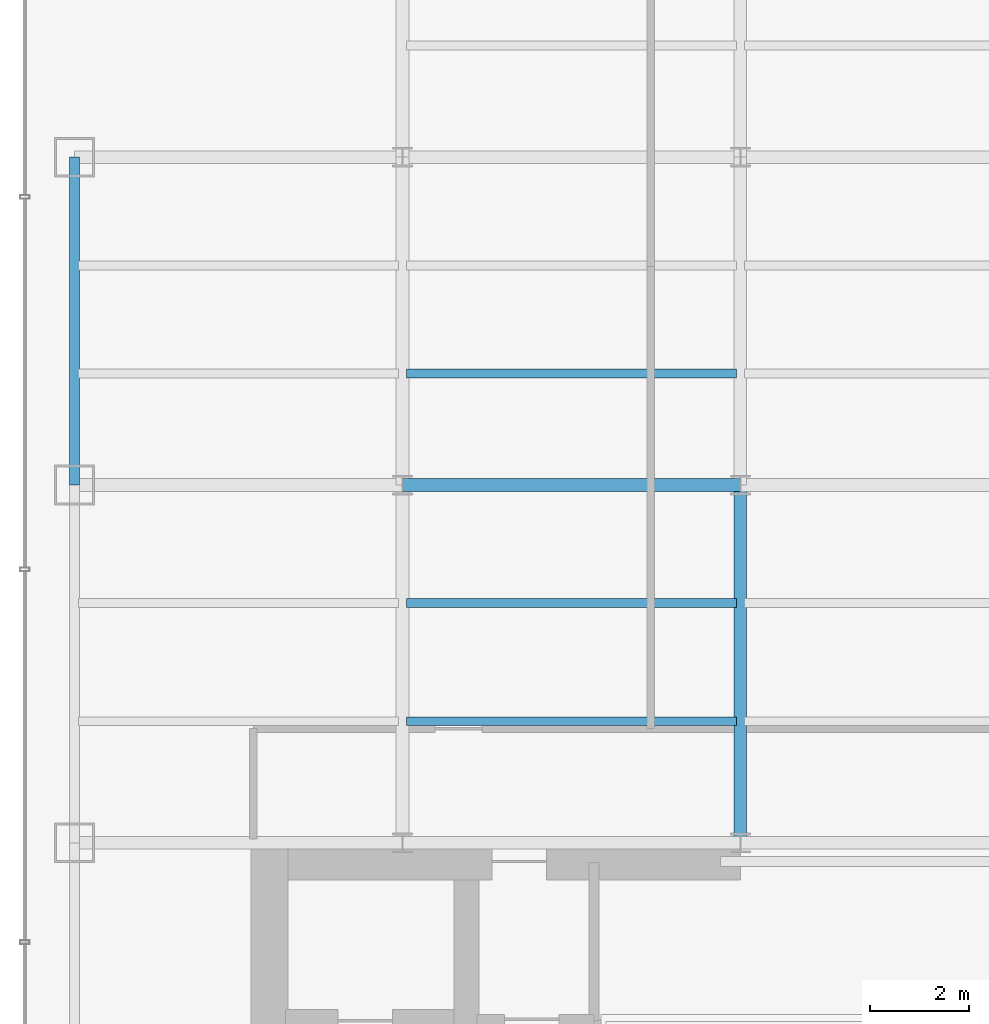
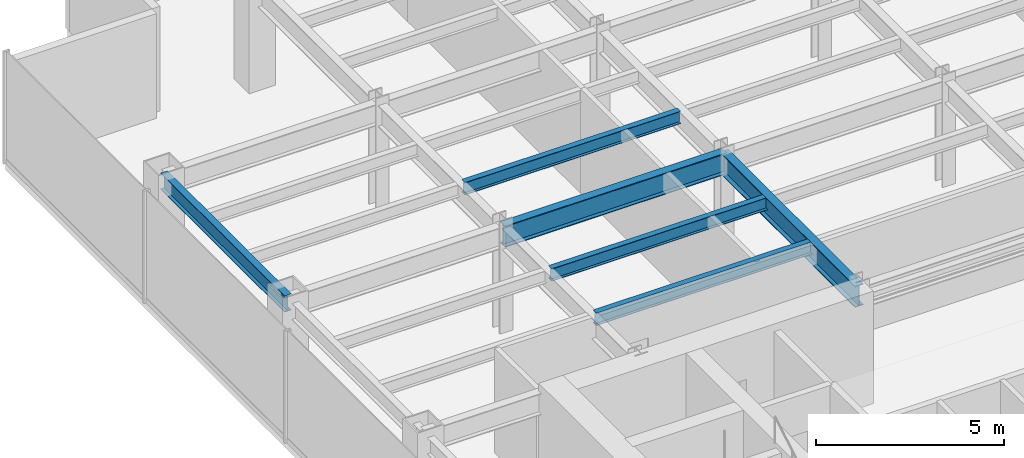
# One storey, part 5 of 26: 6 beams.
"""IFC4 building model written with IfcOpenShell, lengths in metres."""

from ifc_helpers import new_model, si_unit, derived_unit, direction, frame, origin, origin_2d, place, context, subcontext, project, spatial, i_section, extrude, source, transform, mapped, material, material_profile, profile_set, type_object, element, save


model = new_model("IFC4")

# Units and contexts
model_context = context("Model", 3, precision=1e-05, world=origin(), true_north=direction((0.0, 1.0)))
body_context = subcontext(model_context, "Body", "Model", "MODEL_VIEW")
ifc_project = project(units=[si_unit("LENGTHUNIT", "METRE"), si_unit("AREAUNIT", "SQUARE_METRE"), si_unit("VOLUMEUNIT", "CUBIC_METRE"), si_unit("PLANEANGLEUNIT", "RADIAN"), si_unit("MASSUNIT", "GRAM", prefix="KILO"), derived_unit("THERMALTRANSMITTANCEUNIT", [(si_unit("POWERUNIT", "WATT"), 1), (si_unit("LENGTHUNIT", "METRE"), -2), (si_unit("THERMODYNAMICTEMPERATUREUNIT", "KELVIN"), -1)])], contexts=[model_context])

# Site, building, storey
site_placement = place(None, origin())
site = spatial("IfcSite", under=ifc_project, at=site_placement, CompositionType="ELEMENT")
building_placement = place(site_placement, origin())
building = spatial("IfcBuilding", under=site, at=building_placement, Name="Skarnbrae Concourse Arena and Tower", CompositionType="ELEMENT")
storey_placement = place(building_placement, frame((0.0, 0.0, 99.60009765625)))
storey = spatial("IfcBuildingStorey", under=building, at=storey_placement, Name="L24", CompositionType="ELEMENT", Elevation=99.60009765625)

# Beams
ifc_material = material(Name="Steel CSA G40.21 350W", Category="steel")
ifc_material_profile_1 = material_profile(ifc_material, i_section(OverallWidth=0.256103515625, OverallDepth=0.693115234375, WebThickness=0.014404296875, FlangeThickness=0.023681640625, at=origin_2d()), Name="W690X170")
ifc_profile_set_1 = profile_set([ifc_material_profile_1], Name="Steel CSA G40.21 350W")
beam_type_1 = type_object("IfcBeamType", Name="BM-GIRD-W690X170", PredefinedType="BEAM", material=ifc_profile_set_1)
shared_shape_1 = source(origin(), body_context, "Body", "SweptSolid", [
    extrude(i_section(OverallWidth=0.256103515625, OverallDepth=0.693115234375, WebThickness=0.014404296875, FlangeThickness=0.023681640625, at=origin_2d()), origin(), (0.0, 0.0, 1.0), 6.7998046875),
])
beam_1_placement = place(storey_placement, frame((7.60009765625, 21.199951171875, 3.053466796875), z_axis=(1.0, 0.0, 0.0), x_axis=(0.0, 1.0, 0.0)))
element("IfcBeam", 1, at=beam_1_placement, inside=storey, type_object=beam_type_1, Name="L24 Primary E-W girder Y21.2-2", PredefinedType="BEAM", context=body_context, shape_type="MappedRepresentation", body=[
    mapped(shared_shape_1, transform((0.0, 0.0, 0.0))),
])
ifc_material_profile_2 = material_profile(ifc_material, i_section(OverallWidth=0.208984375, OverallDepth=0.532958984375, WebThickness=0.01025390625, FlangeThickness=0.015625, at=origin_2d()), Name="W530X92")
ifc_profile_set_2 = profile_set([ifc_material_profile_2], Name="Steel CSA G40.21 350W")
beam_type_2 = type_object("IfcBeamType", Name="BM-SPAN-W530X92", PredefinedType="SPANDREL", material=ifc_profile_set_2)
shared_shape_2 = source(origin(), body_context, "Body", "SweptSolid", [
    extrude(i_section(OverallWidth=0.208984375, OverallDepth=0.532958984375, WebThickness=0.01025390625, FlangeThickness=0.015625, at=origin_2d()), origin(), (0.0, 0.0, 1.0), 6.60009765625),
])
beam_2_placement = place(storey_placement, frame((1.0, 21.199951171875, 3.13330078125), z_axis=(0.0, 1.0, 0.0), x_axis=(-1.0, 0.0, 0.0)))
element("IfcBeam", 2, at=beam_2_placement, inside=storey, type_object=beam_type_2, Name="L24 Perimeter spandrel X1.0-3", PredefinedType="SPANDREL", context=body_context, shape_type="MappedRepresentation", body=[
    mapped(shared_shape_2, transform((0.0, 0.0, 0.0))),
])
shared_shape_3 = source(origin(), body_context, "Body", "SweptSolid", [
    extrude(i_section(OverallWidth=0.256103515625, OverallDepth=0.693115234375, WebThickness=0.014404296875, FlangeThickness=0.023681640625, at=origin_2d()), origin(), (0.0, 0.0, 1.0), 7.199951171875),
])
beam_3_placement = place(storey_placement, frame((14.39990234375, 14.0, 3.053466796875), z_axis=(0.0, 1.0, 0.0), x_axis=(-1.0, 0.0, 0.0)))
element("IfcBeam", 3, at=beam_3_placement, inside=storey, type_object=beam_type_1, Name="L24 Primary N-S girder X14.4-1", PredefinedType="BEAM", context=body_context, shape_type="MappedRepresentation", body=[
    mapped(shared_shape_3, transform((0.0, 0.0, 0.0))),
])
ifc_material_profile_3 = material_profile(ifc_material, i_section(OverallWidth=0.177978515625, OverallDepth=0.406982421875, WebThickness=0.0078125, FlangeThickness=0.0126953125, at=origin_2d()), Name="W410X60")
ifc_profile_set_3 = profile_set([ifc_material_profile_3], Name="Steel CSA G40.21 350W")
beam_type_3 = type_object("IfcBeamType", Name="BM-JOIST-W410X60", PredefinedType="JOIST", material=ifc_profile_set_3)
shared_shape_4 = source(origin(), body_context, "Body", "SweptSolid", [
    extrude(i_section(OverallWidth=0.177978515625, OverallDepth=0.406982421875, WebThickness=0.0078125, FlangeThickness=0.0126953125, at=origin_2d()), origin(), (0.0, 0.0, 1.0), 6.64013671875),
])
for number, where, z_axis, x_axis, name in (
    (4, (7.679931640625, 16.447998046875, 3.1962890625), (1.0, 0.0, 0.0), (0.0, 1.0, 0.0), "L24 Secondary floor joist 1.1.2"),
    (5, (7.679931640625, 18.823974609375, 3.1962890625), (1.0, 0.0, 0.0), (0.0, 1.0, 0.0), "L24 Secondary floor joist 1.2.2"),
    (6, (7.679931640625, 23.444091796875, 3.1962890625), (1.0, 0.0, 0.0), (0.0, 1.0, 0.0), "L24 Secondary floor joist 2.1.2"),
):
    element("IfcBeam", number, at=place(storey_placement, frame(where, z_axis=z_axis, x_axis=x_axis)), inside=storey, type_object=beam_type_3, Name=name, PredefinedType="JOIST", context=body_context, shape_type="MappedRepresentation", body=[
        mapped(shared_shape_4, transform((0.0, 0.0, 0.0))),
    ])

save(model, "model.ifc")
